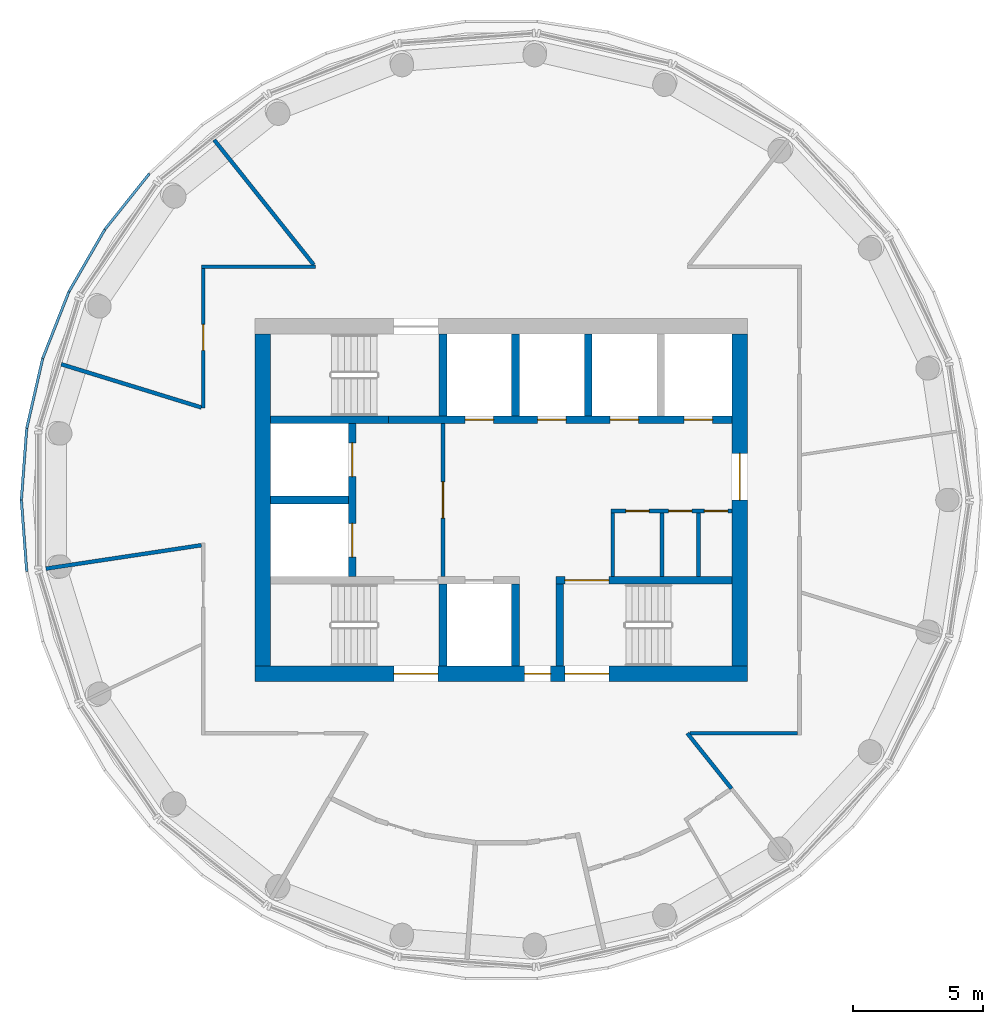
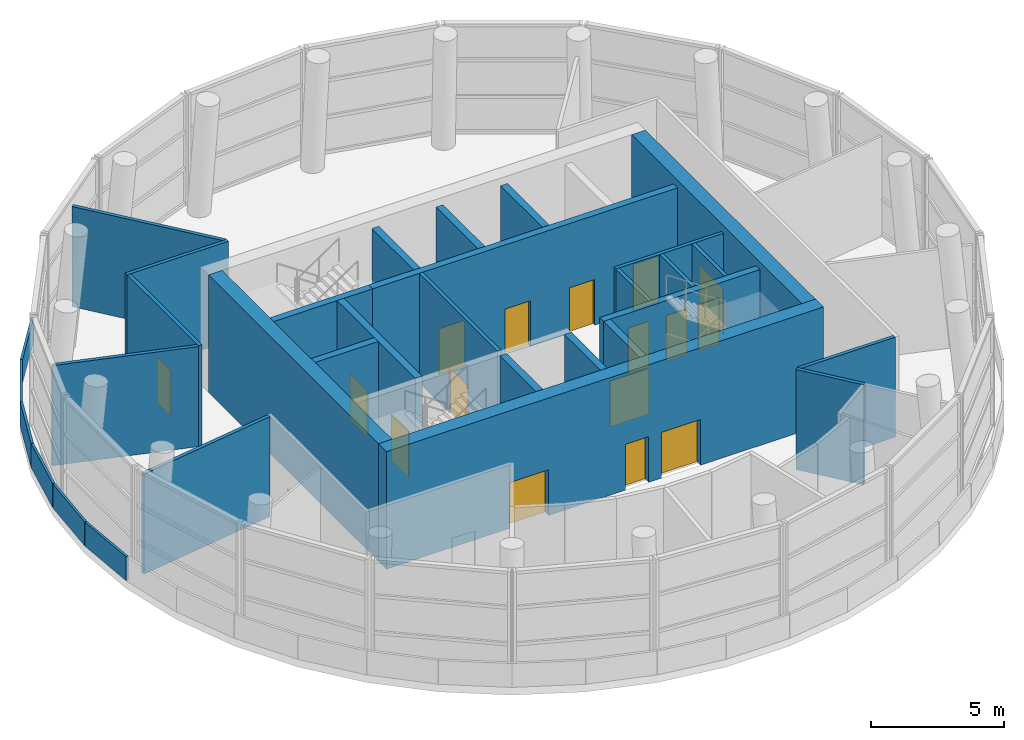
# One storey, part 6 of 11: 32 walls, 16 doors, 16 openings.
"""IFC4 building model written with IfcOpenShell, lengths in metres."""

from ifc_helpers import new_model, si_unit, direction, frame, frame_2d, origin, place, context, subcontext, project, spatial, rectangle, extrude, material, layer, layer_set, type_object, element, fill, save


model = new_model("IFC4")

# Units and contexts
model_context = context("Model", 3, precision=1e-05, world=origin(), true_north=direction((0.0, 1.0)))
body_context = subcontext(model_context, "Body", "Model", "MODEL_VIEW")
ifc_project = project(units=[si_unit("LENGTHUNIT", "METRE"), si_unit("AREAUNIT", "SQUARE_METRE"), si_unit("VOLUMEUNIT", "CUBIC_METRE"), si_unit("PLANEANGLEUNIT", "RADIAN"), si_unit("MASSUNIT", "GRAM", prefix="KILO")], contexts=[model_context])

# Site, building, storey
site_placement = place(None, origin())
site = spatial("IfcSite", under=ifc_project, at=site_placement, CompositionType="ELEMENT")
building_placement = place(site_placement, origin())
building = spatial("IfcBuilding", under=site, at=building_placement, Name="Tracery Tower", CompositionType="ELEMENT")
storey_placement = place(building_placement, frame((0.0, 0.0, 346.800048828125)))
storey = spatial("IfcBuildingStorey", under=building, at=storey_placement, Name="L89", CompositionType="ELEMENT", Elevation=346.800048828125)

# Wall, opening, door
ifc_material_1 = material(Name="Plasterboard on steel studs", Category="steel")
ifc_layer_1 = layer(ifc_material_1, 0.14990234375)
ifc_layer_set_1 = layer_set([ifc_layer_1], Name="Core lobby partition 150")
wall_type_1 = type_object("IfcWallType", Name="Core lobby partition 150", PredefinedType="SOLIDWALL", material=ifc_layer_set_1)
wall_1_placement = place(storey_placement, frame((-2.25, -2.949951171875, 0.0), z_axis=(0.0, 0.0, 1.0), x_axis=(0.0, 1.0, 0.0)))
wall_1 = element("IfcWall", 1, at=wall_1_placement, inside=storey, type_object=wall_type_1, Name="L89 FF lobby E", PredefinedType="SOLIDWALL", context=body_context, shape_type="SweptSolid", body=[
    extrude(rectangle(XDim=5.89990234375, YDim=0.14990234375, at=frame_2d((2.949951171875, 0.0))), origin(), (0.0, 0.0, 1.0), 5.050048828125),
])
opening_1_placement = place(wall_1_placement, frame((2.25, 0.0, 0.0)))
opening_1 = element("IfcOpeningElement", 2, at=opening_1_placement, cuts=wall_1, Name="Opening KD8", PredefinedType="OPENING", context=body_context, shape_type="SweptSolid", body=[
    extrude(rectangle(XDim=1.39990234375, YDim=2.10009765625, at=frame_2d((0.699951171875, 1.050048828125))), frame((0.0, 0.074951171875, 0.0), z_axis=(0.0, -1.0, 0.0), x_axis=(1.0, 0.0, 0.0)), (0.0, 0.0, 1.0), 0.14990234375),
])
ifc_material_2 = material(Name="Steel fire door", Category="steel")
door_type_1 = type_object("IfcDoorType", Name="Core lobby door 1400 double", OperationType="NOTDEFINED", PredefinedType="DOOR", material=ifc_material_2)
door_1_placement = place(opening_1_placement, origin())
door_1 = element("IfcDoor", 3, at=door_1_placement, inside=storey, type_object=door_type_1, Name="Fire-fighting lobby door", OperationType="DOUBLE_DOOR_SINGLE_SWING", OverallHeight=2.10009765625, OverallWidth=1.39990234375, PredefinedType="DOOR", context=body_context, shape_type="SweptSolid", body=[
    extrude(rectangle(XDim=1.39990234375, YDim=2.10009765625, at=frame_2d((0.699951171875, 1.050048828125))), frame((0.0, 0.02490234375, 0.0), z_axis=(0.0, -1.0, 0.0), x_axis=(1.0, 0.0, 0.0)), (0.0, 0.0, 1.0), 0.050048828125),
])
fill(opening_1, door_1)

# Wall
ifc_material_3 = material(Name="Plasterboard on steel studs", Category="steel")
ifc_layer_2 = layer(ifc_material_3, 0.14990234375)
ifc_layer_set_2 = layer_set([ifc_layer_2], Name="Core room partition 150")
wall_type_2 = type_object("IfcWallType", Name="Core room partition 150", PredefinedType="SOLIDWALL", material=ifc_layer_set_2)
wall_2_placement = place(storey_placement, frame((4.300048828125, -2.949951171875, 0.0), z_axis=(0.0, 0.0, 1.0), x_axis=(0.0, 1.0, 0.0)))
element("IfcWall", 4, at=wall_2_placement, inside=storey, type_object=wall_type_2, Name="L89 slot W", PredefinedType="SOLIDWALL", context=body_context, shape_type="SweptSolid", body=[
    extrude(rectangle(XDim=2.449951171875, YDim=0.14990234375, at=frame_2d((1.22509765625, 0.0))), origin(), (0.0, 0.0, 1.0), 5.050048828125),
])

# Wall, openings, doors
wall_3_placement = place(storey_placement, frame((4.22509765625, -0.425048828125, 0.0), z_axis=(0.0, 0.0, 1.0), x_axis=(1.0, 0.0, 0.0)))
wall_3 = element("IfcWall", 5, at=wall_3_placement, inside=storey, type_object=wall_type_2, Name="L89 slot N", PredefinedType="SOLIDWALL", context=body_context, shape_type="SweptSolid", body=[
    extrude(rectangle(XDim=4.6748046875, YDim=0.14990234375, at=frame_2d((2.33740234375, 0.0))), origin(), (0.0, 0.0, 1.0), 5.050048828125),
])
opening_2_placement = place(wall_3_placement, frame((0.574951171875, 0.0, 0.0)))
opening_2 = element("IfcOpeningElement", 6, at=opening_2_placement, cuts=wall_3, Name="Opening KD22", PredefinedType="OPENING", context=body_context, shape_type="SweptSolid", body=[
    extrude(rectangle(XDim=0.89990234375, YDim=2.10009765625, at=frame_2d((0.449951171875, 1.050048828125))), frame((0.0, 0.074951171875, 0.0), z_axis=(0.0, -1.0, 0.0), x_axis=(1.0, 0.0, 0.0)), (0.0, 0.0, 1.0), 0.14990234375),
])
opening_3_placement = place(wall_3_placement, frame((2.22509765625, 0.0, 0.0)))
opening_3 = element("IfcOpeningElement", 7, at=opening_3_placement, cuts=wall_3, Name="Opening KD26", PredefinedType="OPENING", context=body_context, shape_type="SweptSolid", body=[
    extrude(rectangle(XDim=0.89990234375, YDim=2.10009765625, at=frame_2d((0.449951171875, 1.050048828125))), frame((0.0, 0.074951171875, 0.0), z_axis=(0.0, -1.0, 0.0), x_axis=(1.0, 0.0, 0.0)), (0.0, 0.0, 1.0), 0.14990234375),
])
opening_4_placement = place(wall_3_placement, frame((3.612548828125, 0.0, 0.0)))
opening_4 = element("IfcOpeningElement", 8, at=opening_4_placement, cuts=wall_3, Name="Opening KD32", PredefinedType="OPENING", context=body_context, shape_type="SweptSolid", body=[
    extrude(rectangle(XDim=0.89990234375, YDim=2.10009765625, at=frame_2d((0.449951171875, 1.050048828125))), frame((0.0, 0.074951171875, 0.0), z_axis=(0.0, -1.0, 0.0), x_axis=(1.0, 0.0, 0.0)), (0.0, 0.0, 1.0), 0.14990234375),
])
ifc_material_4 = material(Name="Timber door leaf", Category="wood")
door_type_2 = type_object("IfcDoorType", Name="Core WC door 900", OperationType="NOTDEFINED", PredefinedType="DOOR", material=ifc_material_4)
door_2_placement = place(opening_2_placement, origin())
door_2 = element("IfcDoor", 9, at=door_2_placement, inside=storey, type_object=door_type_2, Name="Core door", OperationType="SINGLE_SWING_RIGHT", OverallHeight=2.10009765625, OverallWidth=0.89990234375, PredefinedType="DOOR", context=body_context, shape_type="SweptSolid", body=[
    extrude(rectangle(XDim=0.89990234375, YDim=2.10009765625, at=frame_2d((0.449951171875, 1.050048828125))), frame((0.0, 0.02490234375, 0.0), z_axis=(0.0, -1.0, 0.0), x_axis=(1.0, 0.0, 0.0)), (0.0, 0.0, 1.0), 0.050048828125),
])
fill(opening_2, door_2)
ifc_material_5 = material(Name="Steel fire door", Category="steel")
door_type_3 = type_object("IfcDoorType", Name="Core riser door 900", OperationType="NOTDEFINED", PredefinedType="DOOR", material=ifc_material_5)
door_3_placement = place(opening_4_placement, origin())
door_3 = element("IfcDoor", 10, at=door_3_placement, inside=storey, type_object=door_type_3, Name="Core door", OperationType="SINGLE_SWING_RIGHT", OverallHeight=2.10009765625, OverallWidth=0.89990234375, PredefinedType="DOOR", context=body_context, shape_type="SweptSolid", body=[
    extrude(rectangle(XDim=0.89990234375, YDim=2.10009765625, at=frame_2d((0.449951171875, 1.050048828125))), frame((0.0, 0.02490234375, 0.0), z_axis=(0.0, -1.0, 0.0), x_axis=(1.0, 0.0, 0.0)), (0.0, 0.0, 1.0), 0.050048828125),
])
fill(opening_4, door_3)
ifc_material_6 = material(Name="Timber door leaf", Category="wood")
door_type_4 = type_object("IfcDoorType", Name="Core store door 900", OperationType="NOTDEFINED", PredefinedType="DOOR", material=ifc_material_6)
door_4_placement = place(opening_3_placement, origin())
door_4 = element("IfcDoor", 11, at=door_4_placement, inside=storey, type_object=door_type_4, Name="Core door", OperationType="SINGLE_SWING_LEFT", OverallHeight=2.10009765625, OverallWidth=0.89990234375, PredefinedType="DOOR", context=body_context, shape_type="SweptSolid", body=[
    extrude(rectangle(XDim=0.89990234375, YDim=2.10009765625, at=frame_2d((0.449951171875, 1.050048828125))), frame((0.0, 0.02490234375, 0.0), z_axis=(0.0, -1.0, 0.0), x_axis=(1.0, 0.0, 0.0)), (0.0, 0.0, 1.0), 0.050048828125),
])
fill(opening_3, door_4)

# Walls
for number, where, z_axis, x_axis, name in (
    (12, (6.199951171875, -2.949951171875, 0.0), (0.0, 0.0, 1.0), (0.0, 1.0, 0.0), "L89 slot sep 1"),
    (13, (7.60009765625, -2.949951171875, 0.0), (0.0, 0.0, 1.0), (0.0, 1.0, 0.0), "L89 slot sep 2"),
):
    element("IfcWall", number, at=place(storey_placement, frame(where, z_axis=z_axis, x_axis=x_axis)), inside=storey, type_object=wall_type_2, Name=name, PredefinedType="SOLIDWALL", context=body_context, shape_type="SweptSolid", body=[
        extrude(rectangle(XDim=2.449951171875, YDim=0.14990234375, at=frame_2d((1.22509765625, 0.0))), origin(), (0.0, 0.0, 1.0), 5.050048828125),
    ])

# Wall, openings, doors
ifc_material_7 = material(Name="Concrete C40/50", Category="concrete")
ifc_layer_3 = layer(ifc_material_7, 0.60009765625)
ifc_layer_set_3 = layer_set([ifc_layer_3], Name="Core wall 600 C40")
wall_type_3 = type_object("IfcWallType", Name="Core wall 600 C40", PredefinedType="SOLIDWALL", material=ifc_layer_set_3)
wall_4_placement = place(storey_placement, frame((-9.5, -6.699951171875, 0.0), z_axis=(0.0, 0.0, 1.0), x_axis=(1.0, 0.0, 0.0)))
wall_4 = element("IfcWall", 14, at=wall_4_placement, inside=storey, type_object=wall_type_3, Name="L89 outer S", PredefinedType="SOLIDWALL", context=body_context, shape_type="SweptSolid", body=[
    extrude(rectangle(XDim=19.0, YDim=0.60009765625, at=frame_2d((9.5, 0.0))), origin(), (0.0, 0.0, 1.0), 5.39990234375),
])
opening_5_placement = place(wall_4_placement, frame((10.39990234375, 0.0, 0.0)))
opening_5 = element("IfcOpeningElement", 15, at=opening_5_placement, cuts=wall_4, Name="Opening KD16", PredefinedType="OPENING", context=body_context, shape_type="SweptSolid", body=[
    extrude(rectangle(XDim=1.0, YDim=2.10009765625, at=frame_2d((0.5, 1.050048828125))), frame((0.0, 0.300048828125, 0.0), z_axis=(0.0, -1.0, 0.0), x_axis=(1.0, 0.0, 0.0)), (0.0, 0.0, 1.0), 0.60009765625),
])
opening_6_placement = place(wall_4_placement, frame((5.35009765625, 0.0, 0.0)))
opening_6 = element("IfcOpeningElement", 16, at=opening_6_placement, cuts=wall_4, Name="Opening KD3", PredefinedType="OPENING", context=body_context, shape_type="SweptSolid", body=[
    extrude(rectangle(XDim=1.699951171875, YDim=2.10009765625, at=frame_2d((0.85009765625, 1.050048828125))), frame((0.0, 0.300048828125, 0.0), z_axis=(0.0, -1.0, 0.0), x_axis=(1.0, 0.0, 0.0)), (0.0, 0.0, 1.0), 0.60009765625),
])
opening_7_placement = place(wall_4_placement, frame((11.949951171875, 0.0, 0.0)))
opening_7 = element("IfcOpeningElement", 17, at=opening_7_placement, cuts=wall_4, Name="Opening KD3", PredefinedType="OPENING", context=body_context, shape_type="SweptSolid", body=[
    extrude(rectangle(XDim=1.699951171875, YDim=2.10009765625, at=frame_2d((0.85009765625, 1.050048828125))), frame((0.0, 0.300048828125, 0.0), z_axis=(0.0, -1.0, 0.0), x_axis=(1.0, 0.0, 0.0)), (0.0, 0.0, 1.0), 0.60009765625),
])
ifc_material_8 = material(Name="Steel fire door", Category="steel")
door_type_5 = type_object("IfcDoorType", Name="Core exit door 1000", OperationType="NOTDEFINED", PredefinedType="DOOR", material=ifc_material_8)
door_5_placement = place(opening_5_placement, origin())
door_5 = element("IfcDoor", 18, at=door_5_placement, inside=storey, type_object=door_type_5, Name="Core exit door", OperationType="SINGLE_SWING_LEFT", OverallHeight=2.10009765625, OverallWidth=1.0, PredefinedType="DOOR", context=body_context, shape_type="SweptSolid", body=[
    extrude(rectangle(XDim=1.0, YDim=2.10009765625, at=frame_2d((0.5, 1.050048828125))), frame((0.0, 0.02490234375, 0.0), z_axis=(0.0, -1.0, 0.0), x_axis=(1.0, 0.0, 0.0)), (0.0, 0.0, 1.0), 0.050048828125),
])
fill(opening_5, door_5)
ifc_material_9 = material(Name="Steel fire door", Category="steel")
door_type_6 = type_object("IfcDoorType", Name="Core stair door 1700 double", OperationType="NOTDEFINED", PredefinedType="DOOR", material=ifc_material_9)
door_6_placement = place(opening_6_placement, origin())
door_6 = element("IfcDoor", 19, at=door_6_placement, inside=storey, type_object=door_type_6, Name="Stair door ST1 exit", OperationType="DOUBLE_DOOR_SINGLE_SWING", OverallHeight=2.10009765625, OverallWidth=1.699951171875, PredefinedType="DOOR", context=body_context, shape_type="SweptSolid", body=[
    extrude(rectangle(XDim=1.699951171875, YDim=2.10009765625, at=frame_2d((0.85009765625, 1.050048828125))), frame((0.0, 0.02490234375, 0.0), z_axis=(0.0, -1.0, 0.0), x_axis=(1.0, 0.0, 0.0)), (0.0, 0.0, 1.0), 0.050048828125),
])
fill(opening_6, door_6)
door_7_placement = place(opening_7_placement, origin())
door_7 = element("IfcDoor", 20, at=door_7_placement, inside=storey, type_object=door_type_6, Name="Stair door ST2 exit", OperationType="DOUBLE_DOOR_SINGLE_SWING", OverallHeight=2.10009765625, OverallWidth=1.699951171875, PredefinedType="DOOR", context=body_context, shape_type="SweptSolid", body=[
    extrude(rectangle(XDim=1.699951171875, YDim=2.10009765625, at=frame_2d((0.85009765625, 1.050048828125))), frame((0.0, 0.02490234375, 0.0), z_axis=(0.0, -1.0, 0.0), x_axis=(1.0, 0.0, 0.0)), (0.0, 0.0, 1.0), 0.050048828125),
])
fill(opening_7, door_7)

# Wall
wall_5_placement = place(storey_placement, frame((-9.199951171875, -6.39990234375, 0.0), z_axis=(0.0, 0.0, 1.0), x_axis=(0.0, 1.0, 0.0)))
element("IfcWall", 21, at=wall_5_placement, inside=storey, type_object=wall_type_3, Name="L89 outer W", PredefinedType="SOLIDWALL", context=body_context, shape_type="SweptSolid", body=[
    extrude(rectangle(XDim=12.7998046875, YDim=0.60009765625, at=frame_2d((6.39990234375, 0.0))), origin(), (0.0, 0.0, 1.0), 5.39990234375),
])

# Wall, opening, door
wall_6_placement = place(storey_placement, frame((9.199951171875, -6.39990234375, 0.0), z_axis=(0.0, 0.0, 1.0), x_axis=(0.0, 1.0, 0.0)))
wall_6 = element("IfcWall", 22, at=wall_6_placement, inside=storey, type_object=wall_type_3, Name="L89 outer E", PredefinedType="SOLIDWALL", context=body_context, shape_type="SweptSolid", body=[
    extrude(rectangle(XDim=12.7998046875, YDim=0.60009765625, at=frame_2d((6.39990234375, 0.0))), origin(), (0.0, 0.0, 1.0), 5.39990234375),
])
opening_8_placement = place(wall_6_placement, frame((6.39990234375, 0.0, 0.0)))
opening_8 = element("IfcOpeningElement", 23, at=opening_8_placement, cuts=wall_6, Name="Opening KD13", PredefinedType="OPENING", context=body_context, shape_type="SweptSolid", body=[
    extrude(rectangle(XDim=1.800048828125, YDim=2.10009765625, at=frame_2d((0.89990234375, 1.050048828125))), frame((0.0, 0.300048828125, 0.0), z_axis=(0.0, -1.0, 0.0), x_axis=(1.0, 0.0, 0.0)), (0.0, 0.0, 1.0), 0.60009765625),
])
ifc_material_10 = material(Name="Steel fire door", Category="steel")
door_type_7 = type_object("IfcDoorType", Name="Core exit door 1800 double", OperationType="NOTDEFINED", PredefinedType="DOOR", material=ifc_material_10)
door_8_placement = place(opening_8_placement, origin())
door_8 = element("IfcDoor", 24, at=door_8_placement, inside=storey, type_object=door_type_7, Name="Core exit door", OperationType="DOUBLE_DOOR_SINGLE_SWING", OverallHeight=2.10009765625, OverallWidth=1.800048828125, PredefinedType="DOOR", context=body_context, shape_type="SweptSolid", body=[
    extrude(rectangle(XDim=1.800048828125, YDim=2.10009765625, at=frame_2d((0.89990234375, 1.050048828125))), frame((0.0, 0.02490234375, 0.0), z_axis=(0.0, -1.0, 0.0), x_axis=(1.0, 0.0, 0.0)), (0.0, 0.0, 1.0), 0.050048828125),
])
fill(opening_8, door_8)

# Walls
ifc_material_11 = material(Name="Plasterboard on steel studs", Category="steel")
ifc_layer_4 = layer(ifc_material_11, 0.14990234375)
ifc_layer_set_4 = layer_set([ifc_layer_4], Name="Corridor partition 150")
wall_type_4 = type_object("IfcWallType", Name="Corridor partition 150", PredefinedType="PARTITIONING", material=ifc_layer_set_4)
wall_7_placement = place(storey_placement, frame((-17.572998046875, -2.648681640625, 0.0), z_axis=(0.0, 0.0, 1.0), x_axis=(0.988827755885, 0.149062635131, 0.0)))
element("IfcWall", 25, at=wall_7_placement, inside=storey, type_object=wall_type_4, Name="Corridor partition 150", PredefinedType="PARTITIONING", context=body_context, shape_type="SweptSolid", body=[
    extrude(rectangle(XDim=6.066650390625, YDim=0.14990234375, at=frame_2d((3.033203125, 0.0))), origin(), (0.0, 0.0, 1.0), 4.599853515625),
])
wall_8_placement = place(storey_placement, frame((-16.981689453125, 5.23828125, 0.0), z_axis=(0.0, 0.0, 1.0), x_axis=(0.95556230865, -0.294789203138, 0.0)))
element("IfcWall", 26, at=wall_8_placement, inside=storey, type_object=wall_type_4, Name="Corridor partition 150", PredefinedType="PARTITIONING", context=body_context, shape_type="SweptSolid", body=[
    extrude(rectangle(XDim=5.658203125, YDim=0.14990234375, at=frame_2d((2.8291015625, 0.0))), origin(), (0.0, 0.0, 1.0), 4.599853515625),
])

# Wall, opening, door
wall_9_placement = place(storey_placement, frame((-11.5, 3.54736328125, 0.0), z_axis=(0.0, 0.0, 1.0), x_axis=(0.0, 1.0, 0.0)))
wall_9 = element("IfcWall", 27, at=wall_9_placement, inside=storey, type_object=wall_type_4, Name="Corridor partition 150", PredefinedType="PARTITIONING", context=body_context, shape_type="SweptSolid", body=[
    extrude(rectangle(XDim=5.377685546875, YDim=0.14990234375, at=frame_2d((2.68896484375, 0.0))), origin(), (0.0, 0.0, 1.0), 4.599853515625),
])
opening_9_placement = place(wall_9_placement, frame((2.226318359375, 0.0, 0.0)))
opening_9 = element("IfcOpeningElement", 28, at=opening_9_placement, cuts=wall_9, Name="Opening SB-L89-02", PredefinedType="OPENING", context=body_context, shape_type="SweptSolid", body=[
    extrude(rectangle(XDim=1.0, YDim=2.10009765625, at=frame_2d((0.5, 1.050048828125))), frame((0.0, 0.074951171875, 0.0), z_axis=(0.0, -1.0, 0.0), x_axis=(1.0, 0.0, 0.0)), (0.0, 0.0, 1.0), 0.14990234375),
])
ifc_material_12 = material(Name="Timber door leaf", Category="wood")
door_type_8 = type_object("IfcDoorType", Name="Public room door 1000", OperationType="NOTDEFINED", PredefinedType="DOOR", material=ifc_material_12)
door_9_placement = place(opening_9_placement, origin())
door_9 = element("IfcDoor", 29, at=door_9_placement, inside=storey, type_object=door_type_8, Name="Public room door 1000", OperationType="SINGLE_SWING_RIGHT", OverallHeight=2.10009765625, OverallWidth=1.0, PredefinedType="DOOR", context=body_context, shape_type="SweptSolid", body=[
    extrude(rectangle(XDim=1.0, YDim=2.10009765625, at=frame_2d((0.5, 1.050048828125))), frame((0.0, 0.02490234375, 0.0), z_axis=(0.0, -1.0, 0.0), x_axis=(1.0, 0.0, 0.0)), (0.0, 0.0, 1.0), 0.050048828125),
])
fill(opening_9, door_9)

# Walls
wall_10_placement = place(storey_placement, frame((-11.080322265625, 13.894287109375, 0.0), z_axis=(0.0, 0.0, 1.0), x_axis=(0.623486782959, -0.781833889951, 0.0)))
element("IfcWall", 30, at=wall_10_placement, inside=storey, type_object=wall_type_4, Name="Corridor partition 150", PredefinedType="PARTITIONING", context=body_context, shape_type="SweptSolid", body=[
    extrude(rectangle(XDim=6.1640625, YDim=0.14990234375, at=frame_2d((3.08203125, 0.0))), origin(), (0.0, 0.0, 1.0), 4.599853515625),
])
wall_11_placement = place(storey_placement, frame((-7.17724609375, 9.0, 0.0), z_axis=(0.0, 0.0, 1.0), x_axis=(-1.0, 0.0, 0.0)))
element("IfcWall", 31, at=wall_11_placement, inside=storey, type_object=wall_type_4, Name="Corridor partition 150", PredefinedType="PARTITIONING", context=body_context, shape_type="SweptSolid", body=[
    extrude(rectangle(XDim=4.397705078125, YDim=0.14990234375, at=frame_2d((2.19873046875, 0.0))), origin(), (0.0, 0.0, 1.0), 4.599853515625),
])
wall_12_placement = place(storey_placement, frame((7.273193359375, -9.0, 0.0), z_axis=(0.0, 0.0, 1.0), x_axis=(1.0, 0.0, 0.0)))
element("IfcWall", 32, at=wall_12_placement, inside=storey, type_object=wall_type_4, Name="Corridor partition 150", PredefinedType="PARTITIONING", context=body_context, shape_type="SweptSolid", body=[
    extrude(rectangle(XDim=4.15185546875, YDim=0.14990234375, at=frame_2d((2.075927734375, 0.0))), origin(), (0.0, 0.0, 1.0), 4.599853515625),
])
wall_13_placement = place(storey_placement, frame((8.8798828125, -11.13525390625, 0.0), z_axis=(0.0, 0.0, 1.0), x_axis=(-0.62345142646, 0.781862084287, 0.0)))
element("IfcWall", 33, at=wall_13_placement, inside=storey, type_object=wall_type_4, Name="Corridor partition 150", PredefinedType="PARTITIONING", context=body_context, shape_type="SweptSolid", body=[
    extrude(rectangle(XDim=2.73095703125, YDim=0.14990234375, at=frame_2d((1.365478515625, 0.0))), origin(), (0.0, 0.0, 1.0), 4.599853515625),
])
ifc_material_13 = material(Name="Tinted laminated glass", Category="glass")
ifc_layer_5 = layer(ifc_material_13, 0.10009765625)
ifc_layer_set_5 = layer_set([ifc_layer_5], Name="Crown ledge glass parapet 100")
wall_type_5 = type_object("IfcWallType", Name="Crown ledge glass parapet 100", PredefinedType="PARAPET", material=ifc_layer_set_5)
wall_14_placement = place(storey_placement, frame((-13.58056640625, 12.594482421875, 0.0), z_axis=(0.0, 0.0, 1.0), x_axis=(-0.623507251966, -0.781817566153, 0.0)))
element("IfcWall", 34, at=wall_14_placement, inside=storey, type_object=wall_type_5, Name="Crown ledge glass parapet L89 17", PredefinedType="PARAPET", context=body_context, shape_type="SweptSolid", body=[
    extrude(rectangle(XDim=2.759033203125, YDim=0.10009765625, at=frame_2d((1.37939453125, 0.0))), origin(), (0.0, 0.0, 1.0), 1.099853515625),
])
for number, where, z_axis, x_axis, name in (
    (35, (-15.305908203125, 10.4296875, 0.0), (0.0, 0.0, 1.0), (-0.500003336238, -0.866023477598, 0.0), "Crown ledge glass parapet L89 18"),
    (36, (-16.689453125, 8.031982421875, 0.0), (0.0, 0.0, 1.0), (-0.365386781349, -0.930855789054, 0.0), "Crown ledge glass parapet L89 19"),
    (37, (-17.7001953125, 5.454833984375, 0.0), (0.0, 0.0, 1.0), (-0.222558080593, -0.97491943296, 0.0), "Crown ledge glass parapet L89 20"),
):
    element("IfcWall", number, at=place(storey_placement, frame(where, z_axis=z_axis, x_axis=x_axis)), inside=storey, type_object=wall_type_5, Name=name, PredefinedType="PARAPET", context=body_context, shape_type="SweptSolid", body=[
        extrude(rectangle(XDim=2.7587890625, YDim=0.10009765625, at=frame_2d((1.37939453125, 0.0))), origin(), (0.0, 0.0, 1.0), 1.099853515625),
    ])
for number, where, z_axis, x_axis, name in (
    (38, (-18.3154296875, 2.755859375, 0.0), (0.0, 0.0, 1.0), (-0.074774549, -0.997200464712, 0.0), "Crown ledge glass parapet L89 21"),
    (39, (-18.521728515625, -0.004638671875, 0.0), (0.0, 0.0, 1.0), (0.074774549, -0.997200464712, 0.0), "Crown ledge glass parapet L89 22"),
):
    element("IfcWall", number, at=place(storey_placement, frame(where, z_axis=z_axis, x_axis=x_axis)), inside=storey, type_object=wall_type_5, Name=name, PredefinedType="PARAPET", context=body_context, shape_type="SweptSolid", body=[
        extrude(rectangle(XDim=2.759033203125, YDim=0.10009765625, at=frame_2d((1.37939453125, 0.0))), origin(), (0.0, 0.0, 1.0), 1.099853515625),
    ])
ifc_material_14 = material(Name="Concrete C40/50", Category="concrete")
ifc_layer_6 = layer(ifc_material_14, 0.300048828125)
ifc_layer_set_6 = layer_set([ifc_layer_6], Name="Shaft wall 300 C40")
wall_type_6 = type_object("IfcWallType", Name="Shaft wall 300 C40", PredefinedType="SOLIDWALL", material=ifc_layer_set_6)
wall_15_placement = place(storey_placement, frame((-8.89990234375, 0.0, 0.0), z_axis=(0.0, 0.0, 1.0), x_axis=(1.0, 0.0, 0.0)))
element("IfcWall", 40, at=wall_15_placement, inside=storey, type_object=wall_type_6, Name="L89 FF split", PredefinedType="SOLIDWALL", context=body_context, shape_type="SweptSolid", body=[
    extrude(rectangle(XDim=3.0, YDim=0.300048828125, at=frame_2d((1.5, 0.0))), origin(), (0.0, 0.0, 1.0), 5.050048828125),
])

# Wall, openings, doors
wall_16_placement = place(storey_placement, frame((-5.75, -2.949951171875, 0.0), z_axis=(0.0, 0.0, 1.0), x_axis=(0.0, 1.0, 0.0)))
wall_16 = element("IfcWall", 41, at=wall_16_placement, inside=storey, type_object=wall_type_6, Name="L89 FF doors", PredefinedType="SOLIDWALL", context=body_context, shape_type="SweptSolid", body=[
    extrude(rectangle(XDim=5.89990234375, YDim=0.300048828125, at=frame_2d((2.949951171875, 0.0))), origin(), (0.0, 0.0, 1.0), 5.050048828125),
])
opening_10_placement = place(wall_16_placement, frame((0.75, 0.0, 0.0)))
opening_10 = element("IfcOpeningElement", 42, at=opening_10_placement, cuts=wall_16, Name="Opening KD54", PredefinedType="OPENING", context=body_context, shape_type="SweptSolid", body=[
    extrude(rectangle(XDim=1.300048828125, YDim=2.10009765625, at=frame_2d((0.64990234375, 1.050048828125))), frame((0.0, 0.14990234375, 0.0), z_axis=(0.0, -1.0, 0.0), x_axis=(1.0, 0.0, 0.0)), (0.0, 0.0, 1.0), 0.300048828125),
])
opening_11_placement = place(wall_16_placement, frame((3.85009765625, 0.0, 0.0)))
opening_11 = element("IfcOpeningElement", 43, at=opening_11_placement, cuts=wall_16, Name="Opening KD55", PredefinedType="OPENING", context=body_context, shape_type="SweptSolid", body=[
    extrude(rectangle(XDim=1.300048828125, YDim=2.10009765625, at=frame_2d((0.64990234375, 1.050048828125))), frame((0.0, 0.14990234375, 0.0), z_axis=(0.0, -1.0, 0.0), x_axis=(1.0, 0.0, 0.0)), (0.0, 0.0, 1.0), 0.300048828125),
])
ifc_material_15 = material(Name="Steel fire door", Category="steel")
door_type_9 = type_object("IfcDoorType", Name="Landing door FF 1300", OperationType="NOTDEFINED", PredefinedType="DOOR", material=ifc_material_15)
door_10_placement = place(opening_10_placement, origin())
door_10 = element("IfcDoor", 44, at=door_10_placement, inside=storey, type_object=door_type_9, Name="Landing door FF1", OperationType="SLIDING_TO_LEFT", OverallHeight=2.10009765625, OverallWidth=1.300048828125, PredefinedType="DOOR", context=body_context, shape_type="SweptSolid", body=[
    extrude(rectangle(XDim=1.300048828125, YDim=2.10009765625, at=frame_2d((0.64990234375, 1.050048828125))), frame((0.0, 0.02490234375, 0.0), z_axis=(0.0, -1.0, 0.0), x_axis=(1.0, 0.0, 0.0)), (0.0, 0.0, 1.0), 0.050048828125),
])
fill(opening_10, door_10)
door_11_placement = place(opening_11_placement, origin())
door_11 = element("IfcDoor", 45, at=door_11_placement, inside=storey, type_object=door_type_9, Name="Landing door FF2", OperationType="SLIDING_TO_RIGHT", OverallHeight=2.10009765625, OverallWidth=1.300048828125, PredefinedType="DOOR", context=body_context, shape_type="SweptSolid", body=[
    extrude(rectangle(XDim=1.300048828125, YDim=2.10009765625, at=frame_2d((0.64990234375, 1.050048828125))), frame((0.0, 0.02490234375, 0.0), z_axis=(0.0, -1.0, 0.0), x_axis=(1.0, 0.0, 0.0)), (0.0, 0.0, 1.0), 0.050048828125),
])
fill(opening_11, door_11)

# Walls
for number, where, z_axis, x_axis, name in (
    (46, (0.550048828125, -6.39990234375, 0.0), (0.0, 0.0, 1.0), (0.0, 1.0, 0.0), "L89 OB2 E"),
    (47, (0.550048828125, 3.25, 0.0), (0.0, 0.0, 1.0), (0.0, 1.0, 0.0), "L89 HR sep 1"),
    (48, (3.35009765625, 3.25, 0.0), (0.0, 0.0, 1.0), (0.0, 1.0, 0.0), "L89 HR sep 2"),
):
    element("IfcWall", number, at=place(storey_placement, frame(where, z_axis=z_axis, x_axis=x_axis)), inside=storey, type_object=wall_type_6, Name=name, PredefinedType="SOLIDWALL", context=body_context, shape_type="SweptSolid", body=[
        extrude(rectangle(XDim=3.14990234375, YDim=0.300048828125, at=frame_2d((1.574951171875, 0.0))), origin(), (0.0, 0.0, 1.0), 5.050048828125),
    ])

# Wall, opening, door
ifc_material_16 = material(Name="Concrete C40/50", Category="concrete")
ifc_layer_7 = layer(ifc_material_16, 0.300048828125)
ifc_layer_set_7 = layer_set([ifc_layer_7], Name="Stair wall 300 C40")
wall_type_7 = type_object("IfcWallType", Name="Stair wall 300 C40", PredefinedType="SOLIDWALL", material=ifc_layer_set_7)
wall_17_placement = place(storey_placement, frame((2.10009765625, -3.10009765625, 0.0), z_axis=(0.0, 0.0, 1.0), x_axis=(1.0, 0.0, 0.0)))
wall_17 = element("IfcWall", 49, at=wall_17_placement, inside=storey, type_object=wall_type_7, Name="L89 row S E", PredefinedType="SOLIDWALL", context=body_context, shape_type="SweptSolid", body=[
    extrude(rectangle(XDim=6.7998046875, YDim=0.300048828125, at=frame_2d((3.39990234375, 0.0))), origin(), (0.0, 0.0, 1.0), 5.050048828125),
])
opening_12_placement = place(wall_17_placement, frame((0.35009765625, 0.0, 0.0)))
opening_12 = element("IfcOpeningElement", 50, at=opening_12_placement, cuts=wall_17, Name="Opening KD3", PredefinedType="OPENING", context=body_context, shape_type="SweptSolid", body=[
    extrude(rectangle(XDim=1.699951171875, YDim=2.10009765625, at=frame_2d((0.85009765625, 1.050048828125))), frame((0.0, 0.14990234375, 0.0), z_axis=(0.0, -1.0, 0.0), x_axis=(1.0, 0.0, 0.0)), (0.0, 0.0, 1.0), 0.300048828125),
])
door_12_placement = place(opening_12_placement, origin())
door_12 = element("IfcDoor", 51, at=door_12_placement, inside=storey, type_object=door_type_6, Name="Stair door ST2", OperationType="DOUBLE_DOOR_SINGLE_SWING", OverallHeight=2.10009765625, OverallWidth=1.699951171875, PredefinedType="DOOR", context=body_context, shape_type="SweptSolid", body=[
    extrude(rectangle(XDim=1.699951171875, YDim=2.10009765625, at=frame_2d((0.85009765625, 1.050048828125))), frame((0.0, 0.02490234375, 0.0), z_axis=(0.0, -1.0, 0.0), x_axis=(1.0, 0.0, 0.0)), (0.0, 0.0, 1.0), 0.050048828125),
])
fill(opening_12, door_12)

# Wall
wall_18_placement = place(storey_placement, frame((-8.89990234375, 3.10009765625, 0.0), z_axis=(0.0, 0.0, 1.0), x_axis=(1.0, 0.0, 0.0)))
element("IfcWall", 52, at=wall_18_placement, inside=storey, type_object=wall_type_7, Name="L89 row N W", PredefinedType="SOLIDWALL", context=body_context, shape_type="SweptSolid", body=[
    extrude(rectangle(XDim=4.5498046875, YDim=0.300048828125, at=frame_2d((2.27490234375, 0.0))), origin(), (0.0, 0.0, 1.0), 5.050048828125),
])

# Wall, openings, doors
wall_19_placement = place(storey_placement, frame((-4.35009765625, 3.10009765625, 0.0), z_axis=(0.0, 0.0, 1.0), x_axis=(1.0, 0.0, 0.0)))
wall_19 = element("IfcWall", 53, at=wall_19_placement, inside=storey, type_object=wall_type_7, Name="L89 row N", PredefinedType="SOLIDWALL", context=body_context, shape_type="SweptSolid", body=[
    extrude(rectangle(XDim=13.25, YDim=0.300048828125, at=frame_2d((6.625, 0.0))), origin(), (0.0, 0.0, 1.0), 5.050048828125),
])
opening_13_placement = place(wall_19_placement, frame((2.949951171875, 0.0, 0.0)))
opening_13 = element("IfcOpeningElement", 54, at=opening_13_placement, cuts=wall_19, Name="Opening KD49", PredefinedType="OPENING", context=body_context, shape_type="SweptSolid", body=[
    extrude(rectangle(XDim=1.10009765625, YDim=2.10009765625, at=frame_2d((0.550048828125, 1.050048828125))), frame((0.0, 0.14990234375, 0.0), z_axis=(0.0, -1.0, 0.0), x_axis=(1.0, 0.0, 0.0)), (0.0, 0.0, 1.0), 0.300048828125),
])
opening_14_placement = place(wall_19_placement, frame((5.75, 0.0, 0.0)))
opening_14 = element("IfcOpeningElement", 55, at=opening_14_placement, cuts=wall_19, Name="Opening KD50", PredefinedType="OPENING", context=body_context, shape_type="SweptSolid", body=[
    extrude(rectangle(XDim=1.10009765625, YDim=2.10009765625, at=frame_2d((0.550048828125, 1.050048828125))), frame((0.0, 0.14990234375, 0.0), z_axis=(0.0, -1.0, 0.0), x_axis=(1.0, 0.0, 0.0)), (0.0, 0.0, 1.0), 0.300048828125),
])
opening_15_placement = place(wall_19_placement, frame((8.550048828125, 0.0, 0.0)))
opening_15 = element("IfcOpeningElement", 56, at=opening_15_placement, cuts=wall_19, Name="Opening KD49", PredefinedType="OPENING", context=body_context, shape_type="SweptSolid", body=[
    extrude(rectangle(XDim=1.10009765625, YDim=2.10009765625, at=frame_2d((0.550048828125, 1.050048828125))), frame((0.0, 0.14990234375, 0.0), z_axis=(0.0, -1.0, 0.0), x_axis=(1.0, 0.0, 0.0)), (0.0, 0.0, 1.0), 0.300048828125),
])
opening_16_placement = place(wall_19_placement, frame((11.39990234375, 0.0, 0.0)))
opening_16 = element("IfcOpeningElement", 57, at=opening_16_placement, cuts=wall_19, Name="Opening KD50", PredefinedType="OPENING", context=body_context, shape_type="SweptSolid", body=[
    extrude(rectangle(XDim=1.10009765625, YDim=2.10009765625, at=frame_2d((0.550048828125, 1.050048828125))), frame((0.0, 0.14990234375, 0.0), z_axis=(0.0, -1.0, 0.0), x_axis=(1.0, 0.0, 0.0)), (0.0, 0.0, 1.0), 0.300048828125),
])
ifc_material_17 = material(Name="Steel fire door", Category="steel")
door_type_10 = type_object("IfcDoorType", Name="Landing door 1100", OperationType="NOTDEFINED", PredefinedType="DOOR", material=ifc_material_17)
door_13_placement = place(opening_13_placement, origin())
door_13 = element("IfcDoor", 58, at=door_13_placement, inside=storey, type_object=door_type_10, Name="Landing door HR1", OperationType="SLIDING_TO_LEFT", OverallHeight=2.10009765625, OverallWidth=1.10009765625, PredefinedType="DOOR", context=body_context, shape_type="SweptSolid", body=[
    extrude(rectangle(XDim=1.10009765625, YDim=2.10009765625, at=frame_2d((0.550048828125, 1.050048828125))), frame((0.0, 0.02490234375, 0.0), z_axis=(0.0, -1.0, 0.0), x_axis=(1.0, 0.0, 0.0)), (0.0, 0.0, 1.0), 0.050048828125),
])
fill(opening_13, door_13)
door_14_placement = place(opening_14_placement, origin())
door_14 = element("IfcDoor", 59, at=door_14_placement, inside=storey, type_object=door_type_10, Name="Landing door HR2", OperationType="SLIDING_TO_RIGHT", OverallHeight=2.10009765625, OverallWidth=1.10009765625, PredefinedType="DOOR", context=body_context, shape_type="SweptSolid", body=[
    extrude(rectangle(XDim=1.10009765625, YDim=2.10009765625, at=frame_2d((0.550048828125, 1.050048828125))), frame((0.0, 0.02490234375, 0.0), z_axis=(0.0, -1.0, 0.0), x_axis=(1.0, 0.0, 0.0)), (0.0, 0.0, 1.0), 0.050048828125),
])
fill(opening_14, door_14)
door_15_placement = place(opening_15_placement, origin())
door_15 = element("IfcDoor", 60, at=door_15_placement, inside=storey, type_object=door_type_10, Name="Landing door HR3", OperationType="SLIDING_TO_LEFT", OverallHeight=2.10009765625, OverallWidth=1.10009765625, PredefinedType="DOOR", context=body_context, shape_type="SweptSolid", body=[
    extrude(rectangle(XDim=1.10009765625, YDim=2.10009765625, at=frame_2d((0.550048828125, 1.050048828125))), frame((0.0, 0.02490234375, 0.0), z_axis=(0.0, -1.0, 0.0), x_axis=(1.0, 0.0, 0.0)), (0.0, 0.0, 1.0), 0.050048828125),
])
fill(opening_15, door_15)
door_16_placement = place(opening_16_placement, origin())
door_16 = element("IfcDoor", 61, at=door_16_placement, inside=storey, type_object=door_type_10, Name="Landing door OB1", OperationType="SLIDING_TO_RIGHT", OverallHeight=2.10009765625, OverallWidth=1.10009765625, PredefinedType="DOOR", context=body_context, shape_type="SweptSolid", body=[
    extrude(rectangle(XDim=1.10009765625, YDim=2.10009765625, at=frame_2d((0.550048828125, 1.050048828125))), frame((0.0, 0.02490234375, 0.0), z_axis=(0.0, -1.0, 0.0), x_axis=(1.0, 0.0, 0.0)), (0.0, 0.0, 1.0), 0.050048828125),
])
fill(opening_16, door_16)

# Walls
for number, where, z_axis, x_axis, name in (
    (62, (-2.25, -6.39990234375, 0.0), (0.0, 0.0, 1.0), (0.0, 1.0, 0.0), "L89 ST1 E"),
    (63, (-2.25, 3.25, 0.0), (0.0, 0.0, 1.0), (0.0, 1.0, 0.0), "L89 ST3 E"),
    (64, (2.25, -6.39990234375, 0.0), (0.0, 0.0, 1.0), (0.0, 1.0, 0.0), "L89 ST2 W"),
):
    element("IfcWall", number, at=place(storey_placement, frame(where, z_axis=z_axis, x_axis=x_axis)), inside=storey, type_object=wall_type_7, Name=name, PredefinedType="SOLIDWALL", context=body_context, shape_type="SweptSolid", body=[
        extrude(rectangle(XDim=3.14990234375, YDim=0.300048828125, at=frame_2d((1.574951171875, 0.0))), origin(), (0.0, 0.0, 1.0), 5.050048828125),
    ])

save(model, "model.ifc")
